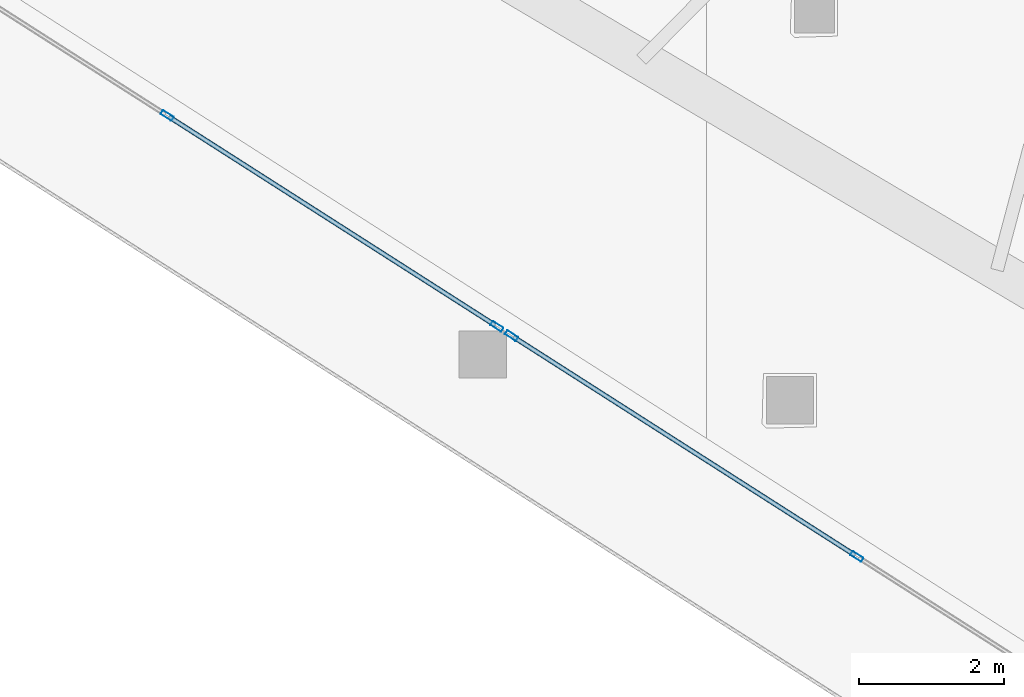
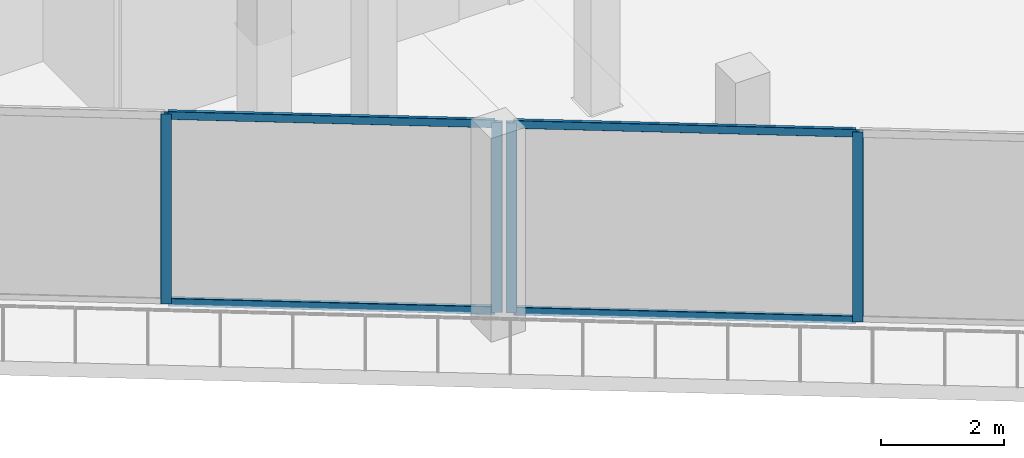
# One storey, part 2 of 35: 8 members, 2 elements without a shape of their own.
"""IFC4 building model written with IfcOpenShell, lengths in metres."""

from ifc_helpers import new_model, si_unit, direction, frame, origin, origin_2d, place, context, subcontext, project, spatial, hollow_rectangle, extrude, material, layer, layer_set, material_profile, profile_set, type_object, element, aggregate, save


model = new_model("IFC4")

# Units and contexts
model_context = context("Model", 3, precision=1e-05, world=origin(), true_north=direction((0.0, 1.0)))
body_context = subcontext(model_context, "Body", "Model", "MODEL_VIEW")
ifc_project = project(units=[si_unit("LENGTHUNIT", "METRE"), si_unit("AREAUNIT", "SQUARE_METRE"), si_unit("VOLUMEUNIT", "CUBIC_METRE"), si_unit("PLANEANGLEUNIT", "RADIAN"), si_unit("MASSUNIT", "GRAM", prefix="KILO")], contexts=[model_context])

# Site, building, storey
site_placement = place(None, origin())
site = spatial("IfcSite", under=ifc_project, at=site_placement, CompositionType="ELEMENT")
building_placement = place(site_placement, origin())
building = spatial("IfcBuilding", under=site, at=building_placement, Name="Qorvath Tower", CompositionType="ELEMENT")
storey_placement = place(building_placement, frame((0.0, 0.0, 130.050048828125)))
storey = spatial("IfcBuildingStorey", under=building, at=storey_placement, Name="L29", CompositionType="ELEMENT", Elevation=130.050048828125)

# Curtain wall, members
ifc_material_1 = material(Name="Anodised aluminium and triple low-E glass", Category="aluminium")
ifc_layer = layer(ifc_material_1, 0.179931640625)
ifc_layer_set = layer_set([ifc_layer], Name="CW-SYS-2")
curtain_wall_type = type_object("IfcCurtainWallType", Name="CW-SYS-2", PredefinedType="NOTDEFINED", material=ifc_layer_set)
curtain_wall_1_placement = place(storey_placement, origin())
curtain_wall_1 = element("IfcCurtainWall", 1, at=curtain_wall_1_placement, inside=storey, type_object=curtain_wall_type, Name="Curtain Wall CW-2 CW-T-L29-2.1", PredefinedType="NOTDEFINED")
ifc_material_2 = material(Name="Anodised aluminium 6063-T6", Category="aluminium")
ifc_material_profile_1 = material_profile(ifc_material_2, hollow_rectangle(XDim=0.06494140625, YDim=0.179931640625, WallThickness=0.00341796875, InnerFilletRadius=0.00341796875, OuterFilletRadius=0.007080078125, at=origin_2d()), Name="CWM 180x65")
ifc_profile_set_1 = profile_set([ifc_material_profile_1], Name="Anodised aluminium 6063-T6")
member_type_1 = type_object("IfcMemberType", Name="CWM-180", PredefinedType="MULLION", material=ifc_profile_set_1)
member_1_placement = place(storey_placement, frame((-39.60107421875, -15.537109375, 0.0), z_axis=(0.0, 0.0, 1.0), x_axis=(0.538534177075, 0.842603667285, 0.0)))
member_1 = element("IfcMember", 2, at=member_1_placement, type_object=member_type_1, Name="CW-2 mullion 5", PredefinedType="MULLION", context=body_context, shape_type="SweptSolid", body=[
    extrude(hollow_rectangle(XDim=0.06494140625, YDim=0.179931640625, WallThickness=0.00341796875, InnerFilletRadius=0.00341796875, OuterFilletRadius=0.007080078125, at=origin_2d()), origin(), (0.0, 0.0, 1.0), 3.780029296875),
])
member_2_placement = place(storey_placement, frame((-35.056396484375, -18.441650390625, 0.0), z_axis=(0.0, 0.0, 1.0), x_axis=(0.538534177075, 0.842603667285, 0.0)))
member_2 = element("IfcMember", 3, at=member_2_placement, type_object=member_type_1, Name="CW-2 mullion 6", PredefinedType="MULLION", context=body_context, shape_type="SweptSolid", body=[
    extrude(hollow_rectangle(XDim=0.06494140625, YDim=0.179931640625, WallThickness=0.00341796875, InnerFilletRadius=0.00341796875, OuterFilletRadius=0.007080078125, at=origin_2d()), origin(), (0.0, 0.0, 1.0), 3.780029296875),
])

curtain_wall_2_placement = place(storey_placement, origin())
curtain_wall_2 = element("IfcCurtainWall", 4, at=curtain_wall_2_placement, inside=storey, type_object=curtain_wall_type, Name="Curtain Wall CW-2 CW-T-L29-2.2", PredefinedType="NOTDEFINED")
member_3_placement = place(storey_placement, frame((-34.854248046875, -18.571044921875, 0.0), z_axis=(0.0, 0.0, 1.0), x_axis=(0.538536165559, 0.84260239638, 0.0)))
member_3 = element("IfcMember", 5, at=member_3_placement, type_object=member_type_1, Name="CW-2 mullion 1", PredefinedType="MULLION", context=body_context, shape_type="SweptSolid", body=[
    extrude(hollow_rectangle(XDim=0.06494140625, YDim=0.179931640625, WallThickness=0.00341796875, InnerFilletRadius=0.00341796875, OuterFilletRadius=0.007080078125, at=origin_2d()), origin(), (0.0, 0.0, 1.0), 3.780029296875),
])
member_4_placement = place(storey_placement, frame((-30.095458984375, -21.612548828125, 0.0), z_axis=(0.0, 0.0, 1.0), x_axis=(0.538536165559, 0.84260239638, 0.0)))
member_4 = element("IfcMember", 6, at=member_4_placement, type_object=member_type_1, Name="CW-2 mullion 2", PredefinedType="MULLION", context=body_context, shape_type="SweptSolid", body=[
    extrude(hollow_rectangle(XDim=0.06494140625, YDim=0.179931640625, WallThickness=0.00341796875, InnerFilletRadius=0.00341796875, OuterFilletRadius=0.007080078125, at=origin_2d()), origin(), (0.0, 0.0, 1.0), 3.780029296875),
])

# Member
ifc_material_3 = material(Name="Anodised aluminium 6063-T6", Category="aluminium")
ifc_material_profile_2 = material_profile(ifc_material_3, hollow_rectangle(XDim=0.06494140625, YDim=0.159912109375, WallThickness=0.00341796875, InnerFilletRadius=0.00341796875, OuterFilletRadius=0.007080078125, at=origin_2d()), Name="CWT 160x65")
ifc_profile_set_2 = profile_set([ifc_material_profile_2], Name="Anodised aluminium 6063-T6")
member_type_2 = type_object("IfcMemberType", Name="CWT-160", PredefinedType="USERDEFINED", material=ifc_profile_set_2)
member_5_placement = place(storey_placement, frame((-39.57373046875, -15.5546875, 0.032470703125), z_axis=(0.842595771585, -0.53854653068, 0.0), x_axis=(0.53854653068, 0.842595771585, 0.0)))
member_5 = element("IfcMember", 7, at=member_5_placement, type_object=member_type_2, Name="CW-2 transom 5.1", ObjectType="TRANSOM", PredefinedType="USERDEFINED", context=body_context, shape_type="SweptSolid", body=[
    extrude(hollow_rectangle(XDim=0.06494140625, YDim=0.159912109375, WallThickness=0.00341796875, InnerFilletRadius=0.00341796875, OuterFilletRadius=0.007080078125, at=origin_2d()), origin(), (0.0, 0.0, 1.0), 5.328369140625),
])

member_6_placement = place(storey_placement, frame((-39.57373046875, -15.5546875, 3.74755859375), z_axis=(0.842595771585, -0.53854653068, 0.0), x_axis=(0.53854653068, 0.842595771585, 0.0)))
member_6 = element("IfcMember", 8, at=member_6_placement, type_object=member_type_2, Name="CW-2 transom 5.2", ObjectType="TRANSOM", PredefinedType="USERDEFINED", context=body_context, shape_type="SweptSolid", body=[
    extrude(hollow_rectangle(XDim=0.06494140625, YDim=0.159912109375, WallThickness=0.00341796875, InnerFilletRadius=0.00341796875, OuterFilletRadius=0.007080078125, at=origin_2d()), origin(), (0.0, 0.0, 1.0), 5.328369140625),
])

aggregate(curtain_wall_1, [member_1, member_2, member_5, member_6])

member_7_placement = place(storey_placement, frame((-34.826904296875, -18.588623046875, 0.032470703125), z_axis=(0.842619091968, -0.538510042479, 0.0), x_axis=(0.538510042479, 0.842619091968, 0.0)))
member_7 = element("IfcMember", 9, at=member_7_placement, type_object=member_type_2, Name="CW-2 transom 1.1", ObjectType="TRANSOM", PredefinedType="USERDEFINED", context=body_context, shape_type="SweptSolid", body=[
    extrude(hollow_rectangle(XDim=0.06494140625, YDim=0.159912109375, WallThickness=0.00341796875, InnerFilletRadius=0.00341796875, OuterFilletRadius=0.007080078125, at=origin_2d()), origin(), (0.0, 0.0, 1.0), 5.582763671875),
])

member_8_placement = place(storey_placement, frame((-34.826904296875, -18.588623046875, 3.74755859375), z_axis=(0.842619091968, -0.538510042479, 0.0), x_axis=(0.538510042479, 0.842619091968, 0.0)))
member_8 = element("IfcMember", 10, at=member_8_placement, type_object=member_type_2, Name="CW-2 transom 1.2", ObjectType="TRANSOM", PredefinedType="USERDEFINED", context=body_context, shape_type="SweptSolid", body=[
    extrude(hollow_rectangle(XDim=0.06494140625, YDim=0.159912109375, WallThickness=0.00341796875, InnerFilletRadius=0.00341796875, OuterFilletRadius=0.007080078125, at=origin_2d()), origin(), (0.0, 0.0, 1.0), 5.582763671875),
])

aggregate(curtain_wall_2, [member_3, member_4, member_7, member_8])

save(model, "model.ifc")
